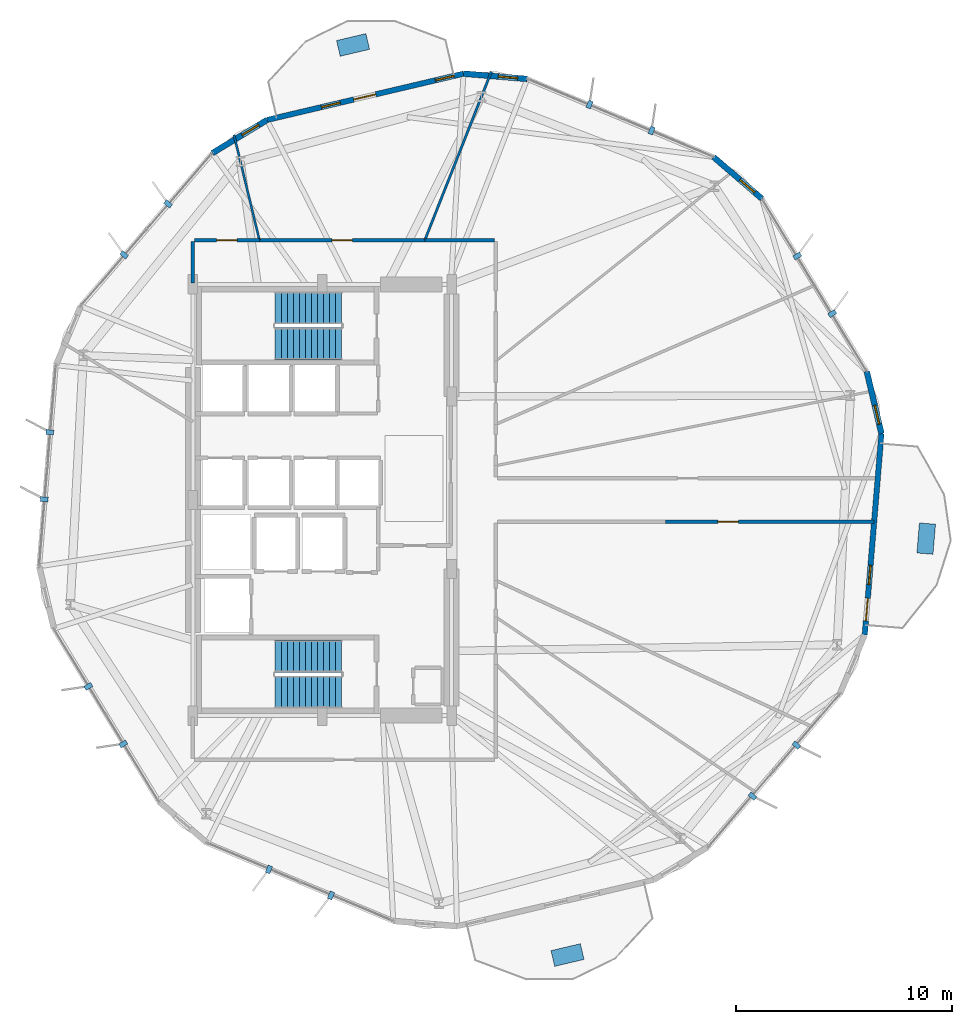
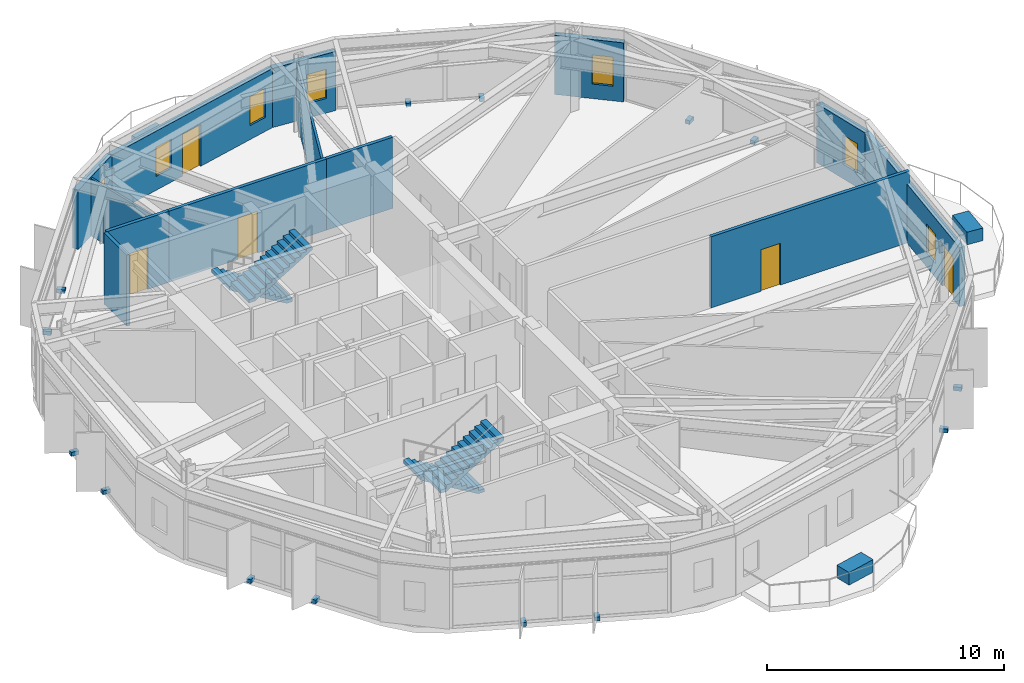
# One storey, part 18 of 21: 17 discrete accessories, 13 walls, 7 windows, 5 doors, 4 stair flights, 12 openings, 2 elements without a shape of their own.
"""IFC4 building model written with IfcOpenShell, lengths in metres."""

from ifc_helpers import new_model, si_unit, direction, frame, frame_2d, origin, origin_2d, place, context, subcontext, project, spatial, polyline, rectangle, outline, extrude, material, layer, layer_set, type_object, element, fill, aggregate, save


model = new_model("IFC4")

# Units and contexts
model_context = context("Model", 3, precision=1e-05, world=origin(), true_north=direction((0.0, 1.0)))
body_context = subcontext(model_context, "Body", "Model", "MODEL_VIEW")
ifc_project = project(units=[si_unit("LENGTHUNIT", "METRE"), si_unit("AREAUNIT", "SQUARE_METRE"), si_unit("VOLUMEUNIT", "CUBIC_METRE"), si_unit("PLANEANGLEUNIT", "RADIAN"), si_unit("MASSUNIT", "GRAM", prefix="KILO")], contexts=[model_context])

# Site, building, storey
site_placement = place(None, origin())
site = spatial("IfcSite", under=ifc_project, at=site_placement, CompositionType="ELEMENT")
building_placement = place(site_placement, origin())
building = spatial("IfcBuilding", under=site, at=building_placement, Name="Soratama Intermodal Tower", CompositionType="ELEMENT")
storey_placement = place(building_placement, frame((0.0, 0.0, 78.60009765625)))
storey = spatial("IfcBuildingStorey", under=building, at=storey_placement, Name="L18", CompositionType="ELEMENT", Elevation=78.60009765625)

# Wall, openings, door, windows
ifc_material_1 = material(Name="Concrete f'c 42 MPa", Category="concrete")
ifc_layer_1 = layer(ifc_material_1, 0.25)
ifc_layer_set_1 = layer_set([ifc_layer_1], Name="Concrete f'c 42 MPa")
wall_type_1 = type_object("IfcWallType", Name="EW-BAL-250", PredefinedType="SOLIDWALL", material=ifc_layer_set_1)
wall_1_placement = place(storey_placement, frame((45.150634765625, 44.767333984375, 0.0), z_axis=(0.0, 0.0, 1.0), x_axis=(-0.973339472423, -0.229369290498, 0.0)))
wall_1 = element("IfcWall", 1, at=wall_1_placement, inside=storey, type_object=wall_type_1, Name="L18 Terrace Wall F03", PredefinedType="SOLIDWALL", context=body_context, shape_type="SweptSolid", body=[
    extrude(rectangle(XDim=9.361328125, YDim=0.25, at=frame_2d((4.6806640625, 0.0))), origin(), (0.0, 0.0, 1.0), 3.038818359375),
])
opening_1_placement = place(wall_1_placement, frame((4.1806640625, 0.0, 0.0)))
opening_1 = element("IfcOpeningElement", 2, at=opening_1_placement, cuts=wall_1, Name="Opening ED-5", PredefinedType="OPENING", context=body_context, shape_type="SweptSolid", body=[
    extrude(rectangle(XDim=1.050048828125, YDim=2.14990234375, at=frame_2d((0.52490234375, 1.074951171875))), frame((0.0, 0.135009765625, 0.0), z_axis=(0.0, -1.0, 0.0), x_axis=(1.0, 0.0, 0.0)), (0.0, 0.0, 1.0), 0.27001953125),
])
opening_2_placement = place(wall_1_placement, frame((0.43994140625, 0.0, 0.719970703125)))
opening_2 = element("IfcOpeningElement", 3, at=opening_2_placement, cuts=wall_1, Name="Opening WN-6", PredefinedType="OPENING", context=body_context, shape_type="SweptSolid", body=[
    extrude(rectangle(XDim=0.89990234375, YDim=1.5, at=frame_2d((0.449951171875, 0.75))), frame((0.0, 0.135009765625, 0.0), z_axis=(0.0, -1.0, 0.0), x_axis=(1.0, 0.0, 0.0)), (0.0, 0.0, 1.0), 0.27001953125),
])
opening_3_placement = place(wall_1_placement, frame((5.87060546875, 0.0, 0.719970703125)))
opening_3 = element("IfcOpeningElement", 4, at=opening_3_placement, cuts=wall_1, Name="Opening WN-6", PredefinedType="OPENING", context=body_context, shape_type="SweptSolid", body=[
    extrude(rectangle(XDim=0.89990234375, YDim=1.5, at=frame_2d((0.449951171875, 0.75))), frame((0.0, 0.135009765625, 0.0), z_axis=(0.0, -1.0, 0.0), x_axis=(1.0, 0.0, 0.0)), (0.0, 0.0, 1.0), 0.27001953125),
])
ifc_material_2 = material(Name="Double-glazed aluminium door", Category="aluminium")
door_type_1 = type_object("IfcDoorType", Name="DR-BAL-1050", OperationType="NOTDEFINED", PredefinedType="DOOR", material=ifc_material_2)
door_1_placement = place(opening_1_placement, origin())
door_1 = element("IfcDoor", 5, at=door_1_placement, inside=storey, type_object=door_type_1, Name="L18 Balcony Door F03", OperationType="SINGLE_SWING_LEFT", OverallHeight=2.14990234375, OverallWidth=1.050048828125, PredefinedType="DOOR", context=body_context, shape_type="SweptSolid", body=[
    extrude(rectangle(XDim=1.050048828125, YDim=2.14990234375, at=frame_2d((0.52490234375, 1.074951171875))), frame((0.0, 0.02490234375, 0.0), z_axis=(0.0, -1.0, 0.0), x_axis=(1.0, 0.0, 0.0)), (0.0, 0.0, 1.0), 0.050048828125),
])
fill(opening_1, door_1)
ifc_material_3 = material(Name="Double-glazed aluminium window", Category="aluminium")
window_type = type_object("IfcWindowType", Name="WN-FAC-900", PartitioningType="SINGLE_PANEL", PredefinedType="WINDOW", material=ifc_material_3)
window_1_placement = place(opening_2_placement, origin())
window_1 = element("IfcWindow", 6, at=window_1_placement, inside=storey, type_object=window_type, Name="L18 Window A F03", OverallHeight=1.5, OverallWidth=0.89990234375, PartitioningType="SINGLE_PANEL", PredefinedType="WINDOW", context=body_context, shape_type="SweptSolid", body=[
    extrude(rectangle(XDim=0.89990234375, YDim=1.5, at=frame_2d((0.449951171875, 0.75))), frame((0.0, 0.030029296875, 0.0), z_axis=(0.0, -1.0, 0.0), x_axis=(1.0, 0.0, 0.0)), (0.0, 0.0, 1.0), 0.06005859375),
])
fill(opening_2, window_1)
window_2_placement = place(opening_3_placement, origin())
window_2 = element("IfcWindow", 7, at=window_2_placement, inside=storey, type_object=window_type, Name="L18 Window B F03", OverallHeight=1.5, OverallWidth=0.89990234375, PartitioningType="SINGLE_PANEL", PredefinedType="WINDOW", context=body_context, shape_type="SweptSolid", body=[
    extrude(rectangle(XDim=0.89990234375, YDim=1.5, at=frame_2d((0.449951171875, 0.75))), frame((0.0, 0.030029296875, 0.0), z_axis=(0.0, -1.0, 0.0), x_axis=(1.0, 0.0, 0.0)), (0.0, 0.0, 1.0), 0.06005859375),
])
fill(opening_3, window_2)

# Wall, openings, door, window
wall_2_placement = place(storey_placement, frame((63.75341796875, 18.748291015625, 0.0), z_axis=(0.0, 0.0, 1.0), x_axis=(0.082620284311, 0.996581099871, 0.0)))
wall_2 = element("IfcWall", 8, at=wall_2_placement, inside=storey, type_object=wall_type_1, Name="L18 Terrace Wall F10", PredefinedType="SOLIDWALL", context=body_context, shape_type="SweptSolid", body=[
    extrude(rectangle(XDim=9.361328125, YDim=0.25, at=frame_2d((4.6806640625, 0.0))), origin(), (0.0, 0.0, 1.0), 3.038818359375),
])
opening_4_placement = place(wall_2_placement, frame((0.64990234375, 0.0, 0.0)))
opening_4 = element("IfcOpeningElement", 9, at=opening_4_placement, cuts=wall_2, Name="Opening ED-5", PredefinedType="OPENING", context=body_context, shape_type="SweptSolid", body=[
    extrude(rectangle(XDim=1.050048828125, YDim=2.14990234375, at=frame_2d((0.52490234375, 1.074951171875))), frame((0.0, 0.135009765625, 0.0), z_axis=(0.0, -1.0, 0.0), x_axis=(1.0, 0.0, 0.0)), (0.0, 0.0, 1.0), 0.27001953125),
])
opening_5_placement = place(wall_2_placement, frame((2.340087890625, 0.0, 0.719970703125)))
opening_5 = element("IfcOpeningElement", 10, at=opening_5_placement, cuts=wall_2, Name="Opening WN-6", PredefinedType="OPENING", context=body_context, shape_type="SweptSolid", body=[
    extrude(rectangle(XDim=0.89990234375, YDim=1.5, at=frame_2d((0.449951171875, 0.75))), frame((0.0, 0.135009765625, 0.0), z_axis=(0.0, -1.0, 0.0), x_axis=(1.0, 0.0, 0.0)), (0.0, 0.0, 1.0), 0.27001953125),
])
door_2_placement = place(opening_4_placement, origin())
door_2 = element("IfcDoor", 11, at=door_2_placement, inside=storey, type_object=door_type_1, Name="L18 Balcony Door F10", OperationType="SINGLE_SWING_RIGHT", OverallHeight=2.14990234375, OverallWidth=1.050048828125, PredefinedType="DOOR", context=body_context, shape_type="SweptSolid", body=[
    extrude(rectangle(XDim=1.050048828125, YDim=2.14990234375, at=frame_2d((0.52490234375, 1.074951171875))), frame((0.0, 0.02490234375, 0.0), z_axis=(0.0, -1.0, 0.0), x_axis=(1.0, 0.0, 0.0)), (0.0, 0.0, 1.0), 0.050048828125),
])
fill(opening_4, door_2)
window_3_placement = place(opening_5_placement, origin())
window_3 = element("IfcWindow", 12, at=window_3_placement, inside=storey, type_object=window_type, Name="L18 Window B F10", OverallHeight=1.5, OverallWidth=0.89990234375, PartitioningType="SINGLE_PANEL", PredefinedType="WINDOW", context=body_context, shape_type="SweptSolid", body=[
    extrude(rectangle(XDim=0.89990234375, YDim=1.5, at=frame_2d((0.449951171875, 0.75))), frame((0.0, 0.030029296875, 0.0), z_axis=(0.0, -1.0, 0.0), x_axis=(1.0, 0.0, 0.0)), (0.0, 0.0, 1.0), 0.06005859375),
])
fill(opening_5, window_3)

# Wall, opening, window
ifc_material_4 = material(Name="Concrete f'c 42 MPa", Category="concrete")
ifc_layer_2 = layer(ifc_material_4, 0.27001953125)
ifc_layer_set_2 = layer_set([ifc_layer_2], Name="Concrete f'c 42 MPa")
wall_type_2 = type_object("IfcWallType", Name="EW-CRN-270", PredefinedType="SOLIDWALL", material=ifc_layer_set_2)
wall_3_placement = place(storey_placement, frame((58.988525390625, 38.967529296875, 0.0), z_axis=(0.0, 0.0, 1.0), x_axis=(-0.757662534015, 0.652646523434, 0.0)))
wall_3 = element("IfcWall", 13, at=wall_3_placement, inside=storey, type_object=wall_type_2, Name="L18 Corner Closure Wall 01", PredefinedType="SOLIDWALL", context=body_context, shape_type="SweptSolid", body=[
    extrude(rectangle(XDim=2.966552734375, YDim=0.27001953125, at=frame_2d((1.4833984375, 0.0))), origin(), (0.0, 0.0, 1.0), 3.038818359375),
])
opening_6_placement = place(wall_3_placement, frame((0.449951171875, 0.0, 0.75)))
opening_6 = element("IfcOpeningElement", 14, at=opening_6_placement, cuts=wall_3, Name="Opening WN-6", PredefinedType="OPENING", context=body_context, shape_type="SweptSolid", body=[
    extrude(rectangle(XDim=0.89990234375, YDim=1.5, at=frame_2d((0.449951171875, 0.75))), frame((0.0, 0.14501953125, 0.0), z_axis=(0.0, -1.0, 0.0), x_axis=(1.0, 0.0, 0.0)), (0.0, 0.0, 1.0), 0.2900390625),
])
window_4_placement = place(opening_6_placement, origin())
window_4 = element("IfcWindow", 15, at=window_4_placement, inside=storey, type_object=window_type, Name="L18 Corner Window 01", OverallHeight=1.5, OverallWidth=0.89990234375, PartitioningType="SINGLE_PANEL", PredefinedType="WINDOW", context=body_context, shape_type="SweptSolid", body=[
    extrude(rectangle(XDim=0.89990234375, YDim=1.5, at=frame_2d((0.449951171875, 0.75))), frame((0.0, 0.030029296875, 0.0), z_axis=(0.0, -1.0, 0.0), x_axis=(1.0, 0.0, 0.0)), (0.0, 0.0, 1.0), 0.06005859375),
])
fill(opening_6, window_4)

wall_4_placement = place(storey_placement, frame((48.107177734375, 44.522216796875, 0.0), z_axis=(0.0, 0.0, 1.0), x_axis=(-0.996580856584, 0.082623218828, 0.0)))
wall_4 = element("IfcWall", 16, at=wall_4_placement, inside=storey, type_object=wall_type_2, Name="L18 Corner Closure Wall 02", PredefinedType="SOLIDWALL", context=body_context, shape_type="SweptSolid", body=[
    extrude(rectangle(XDim=2.966796875, YDim=0.27001953125, at=frame_2d((1.4833984375, 0.0))), origin(), (0.0, 0.0, 1.0), 3.038818359375),
])
opening_7_placement = place(wall_4_placement, frame((0.449951171875, 0.0, 0.75)))
opening_7 = element("IfcOpeningElement", 17, at=opening_7_placement, cuts=wall_4, Name="Opening WN-6", PredefinedType="OPENING", context=body_context, shape_type="SweptSolid", body=[
    extrude(rectangle(XDim=0.89990234375, YDim=1.5, at=frame_2d((0.449951171875, 0.75))), frame((0.0, 0.14501953125, 0.0), z_axis=(0.0, -1.0, 0.0), x_axis=(1.0, 0.0, 0.0)), (0.0, 0.0, 1.0), 0.2900390625),
])
window_5_placement = place(opening_7_placement, origin())
window_5 = element("IfcWindow", 18, at=window_5_placement, inside=storey, type_object=window_type, Name="L18 Corner Window 02", OverallHeight=1.5, OverallWidth=0.89990234375, PartitioningType="SINGLE_PANEL", PredefinedType="WINDOW", context=body_context, shape_type="SweptSolid", body=[
    extrude(rectangle(XDim=0.89990234375, YDim=1.5, at=frame_2d((0.449951171875, 0.75))), frame((0.0, 0.030029296875, 0.0), z_axis=(0.0, -1.0, 0.0), x_axis=(1.0, 0.0, 0.0)), (0.0, 0.0, 1.0), 0.06005859375),
])
fill(opening_7, window_5)

wall_5_placement = place(storey_placement, frame((36.038818359375, 42.6201171875, 0.0), z_axis=(0.0, 0.0, 1.0), x_axis=(-0.854838363076, -0.518894375584, 0.0)))
wall_5 = element("IfcWall", 19, at=wall_5_placement, inside=storey, type_object=wall_type_2, Name="L18 Corner Closure Wall 03", PredefinedType="SOLIDWALL", context=body_context, shape_type="SweptSolid", body=[
    extrude(rectangle(XDim=2.966552734375, YDim=0.27001953125, at=frame_2d((1.4833984375, 0.0))), origin(), (0.0, 0.0, 1.0), 3.038818359375),
])
opening_8_placement = place(wall_5_placement, frame((0.449951171875, 0.0, 0.75)))
opening_8 = element("IfcOpeningElement", 20, at=opening_8_placement, cuts=wall_5, Name="Opening WN-6", PredefinedType="OPENING", context=body_context, shape_type="SweptSolid", body=[
    extrude(rectangle(XDim=0.89990234375, YDim=1.5, at=frame_2d((0.449951171875, 0.75))), frame((0.0, 0.14501953125, 0.0), z_axis=(0.0, -1.0, 0.0), x_axis=(1.0, 0.0, 0.0)), (0.0, 0.0, 1.0), 0.2900390625),
])
window_6_placement = place(opening_8_placement, origin())
window_6 = element("IfcWindow", 21, at=window_6_placement, inside=storey, type_object=window_type, Name="L18 Corner Window 03", OverallHeight=1.5, OverallWidth=0.89990234375, PartitioningType="SINGLE_PANEL", PredefinedType="WINDOW", context=body_context, shape_type="SweptSolid", body=[
    extrude(rectangle(XDim=0.89990234375, YDim=1.5, at=frame_2d((0.449951171875, 0.75))), frame((0.0, 0.030029296875, 0.0), z_axis=(0.0, -1.0, 0.0), x_axis=(1.0, 0.0, 0.0)), (0.0, 0.0, 1.0), 0.06005859375),
])
fill(opening_8, window_6)

wall_6_placement = place(storey_placement, frame((64.52685546875, 28.07763671875, 0.0), z_axis=(0.0, 0.0, 1.0), x_axis=(-0.229365005804, 0.973340482109, 0.0)))
wall_6 = element("IfcWall", 22, at=wall_6_placement, inside=storey, type_object=wall_type_2, Name="L18 Corner Closure Wall 10", PredefinedType="SOLIDWALL", context=body_context, shape_type="SweptSolid", body=[
    extrude(rectangle(XDim=2.966552734375, YDim=0.27001953125, at=frame_2d((1.4833984375, 0.0))), origin(), (0.0, 0.0, 1.0), 3.038818359375),
])
opening_9_placement = place(wall_6_placement, frame((0.449951171875, 0.0, 0.75)))
opening_9 = element("IfcOpeningElement", 23, at=opening_9_placement, cuts=wall_6, Name="Opening WN-6", PredefinedType="OPENING", context=body_context, shape_type="SweptSolid", body=[
    extrude(rectangle(XDim=0.89990234375, YDim=1.5, at=frame_2d((0.449951171875, 0.75))), frame((0.0, 0.14501953125, 0.0), z_axis=(0.0, -1.0, 0.0), x_axis=(1.0, 0.0, 0.0)), (0.0, 0.0, 1.0), 0.2900390625),
])
window_7_placement = place(opening_9_placement, origin())
window_7 = element("IfcWindow", 24, at=window_7_placement, inside=storey, type_object=window_type, Name="L18 Corner Window 10", OverallHeight=1.5, OverallWidth=0.89990234375, PartitioningType="SINGLE_PANEL", PredefinedType="WINDOW", context=body_context, shape_type="SweptSolid", body=[
    extrude(rectangle(XDim=0.89990234375, YDim=1.5, at=frame_2d((0.449951171875, 0.75))), frame((0.0, 0.030029296875, 0.0), z_axis=(0.0, -1.0, 0.0), x_axis=(1.0, 0.0, 0.0)), (0.0, 0.0, 1.0), 0.06005859375),
])
fill(opening_9, window_7)

# Wall, opening, door
ifc_material_5 = material(Name="Fire-rated gypsum stud partition", Category="concrete")
ifc_layer_3 = layer(ifc_material_5, 0.159912109375)
ifc_layer_set_3 = layer_set([ifc_layer_3], Name="Fire-rated gypsum stud partition")
wall_type_3 = type_object("IfcWallType", Name="IW-PART-R160", PredefinedType="PARTITIONING", material=ifc_layer_set_3)
wall_7_placement = place(storey_placement, frame((64.18896484375, 24.0, 0.0), z_axis=(0.0, 0.0, 1.0), x_axis=(-1.0, 0.0, 0.0)))
wall_7 = element("IfcWall", 25, at=wall_7_placement, inside=storey, type_object=wall_type_3, Name="L18 Partition W-L18-TP009", PredefinedType="PARTITIONING", context=body_context, shape_type="SweptSolid", body=[
    extrude(rectangle(XDim=9.6708984375, YDim=0.159912109375, at=frame_2d((4.83544921875, 0.0))), origin(), (0.0, 0.0, 1.0), 3.659912109375),
])
opening_10_placement = place(wall_7_placement, frame((6.294921875, 0.0, 0.0)))
opening_10 = element("IfcOpeningElement", 26, at=opening_10_placement, cuts=wall_7, Name="Opening ID-3", PredefinedType="OPENING", context=body_context, shape_type="SweptSolid", body=[
    extrude(rectangle(XDim=0.949951171875, YDim=2.14990234375, at=frame_2d((0.47509765625, 1.074951171875))), frame((0.0, 0.08984375, 0.0), z_axis=(0.0, -1.0, 0.0), x_axis=(1.0, 0.0, 0.0)), (0.0, 0.0, 1.0), 0.179931640625),
])
ifc_material_6 = material(Name="Solid hardwood acoustic door", Category="wood")
door_type_2 = type_object("IfcDoorType", Name="DR-ROOM-950", OperationType="NOTDEFINED", PredefinedType="DOOR", material=ifc_material_6)
door_3_placement = place(opening_10_placement, origin())
door_3 = element("IfcDoor", 27, at=door_3_placement, inside=storey, type_object=door_type_2, Name="L18 Door D-L18-TP003", OperationType="SINGLE_SWING_RIGHT", OverallHeight=2.14990234375, OverallWidth=0.949951171875, PredefinedType="DOOR", context=body_context, shape_type="SweptSolid", body=[
    extrude(rectangle(XDim=0.949951171875, YDim=2.14990234375, at=frame_2d((0.47509765625, 1.074951171875))), frame((0.0, 0.02490234375, 0.0), z_axis=(0.0, -1.0, 0.0), x_axis=(1.0, 0.0, 0.0)), (0.0, 0.0, 1.0), 0.050048828125),
])
fill(opening_10, door_3)

wall_8_placement = place(storey_placement, frame((35.68701171875, 37.050048828125, 0.0), z_axis=(0.0, 0.0, 1.0), x_axis=(1.0, 0.0, 0.0)))
wall_8 = element("IfcWall", 28, at=wall_8_placement, inside=storey, type_object=wall_type_3, Name="L18 Partition W-L18-TP012", PredefinedType="PARTITIONING", context=body_context, shape_type="SweptSolid", body=[
    extrude(rectangle(XDim=7.669921875, YDim=0.159912109375, at=frame_2d((3.8349609375, 0.0))), origin(), (0.0, 0.0, 1.0), 3.659912109375),
])
opening_11_placement = place(wall_8_placement, frame((3.360107421875, 0.0, 0.0)))
opening_11 = element("IfcOpeningElement", 29, at=opening_11_placement, cuts=wall_8, Name="Opening ID-3", PredefinedType="OPENING", context=body_context, shape_type="SweptSolid", body=[
    extrude(rectangle(XDim=0.949951171875, YDim=2.14990234375, at=frame_2d((0.47509765625, 1.074951171875))), frame((0.0, 0.08984375, 0.0), z_axis=(0.0, -1.0, 0.0), x_axis=(1.0, 0.0, 0.0)), (0.0, 0.0, 1.0), 0.179931640625),
])
door_4_placement = place(opening_11_placement, origin())
door_4 = element("IfcDoor", 30, at=door_4_placement, inside=storey, type_object=door_type_2, Name="L18 Door D-L18-TP004", OperationType="SINGLE_SWING_LEFT", OverallHeight=2.14990234375, OverallWidth=0.949951171875, PredefinedType="DOOR", context=body_context, shape_type="SweptSolid", body=[
    extrude(rectangle(XDim=0.949951171875, YDim=2.14990234375, at=frame_2d((0.47509765625, 1.074951171875))), frame((0.0, 0.02490234375, 0.0), z_axis=(0.0, -1.0, 0.0), x_axis=(1.0, 0.0, 0.0)), (0.0, 0.0, 1.0), 0.050048828125),
])
fill(opening_11, door_4)

# Wall
wall_9_placement = place(storey_placement, frame((43.35693359375, 37.050048828125, 0.0), z_axis=(0.0, 0.0, 1.0), x_axis=(1.0, 0.0, 0.0)))
element("IfcWall", 31, at=wall_9_placement, inside=storey, type_object=wall_type_3, Name="L18 Partition W-L18-TP019", PredefinedType="PARTITIONING", context=body_context, shape_type="SweptSolid", body=[
    extrude(rectangle(XDim=3.22314453125, YDim=0.159912109375, at=frame_2d((1.611572265625, 0.0))), origin(), (0.0, 0.0, 1.0), 3.659912109375),
])

# Wall, opening, door
wall_10_placement = place(storey_placement, frame((32.669921875, 37.050048828125, 0.0), z_axis=(0.0, 0.0, 1.0), x_axis=(1.0, 0.0, 0.0)))
wall_10 = element("IfcWall", 32, at=wall_10_placement, inside=storey, type_object=wall_type_3, Name="L18 Partition W-L18-TP020", PredefinedType="PARTITIONING", context=body_context, shape_type="SweptSolid", body=[
    extrude(rectangle(XDim=3.01708984375, YDim=0.159912109375, at=frame_2d((1.508544921875, 0.0))), origin(), (0.0, 0.0, 1.0), 3.659912109375),
])
opening_12_placement = place(wall_10_placement, frame((1.032958984375, 0.0, 0.0)))
opening_12 = element("IfcOpeningElement", 33, at=opening_12_placement, cuts=wall_10, Name="Opening ID-3", PredefinedType="OPENING", context=body_context, shape_type="SweptSolid", body=[
    extrude(rectangle(XDim=0.949951171875, YDim=2.14990234375, at=frame_2d((0.47509765625, 1.074951171875))), frame((0.0, 0.08984375, 0.0), z_axis=(0.0, -1.0, 0.0), x_axis=(1.0, 0.0, 0.0)), (0.0, 0.0, 1.0), 0.179931640625),
])
door_5_placement = place(opening_12_placement, origin())
door_5 = element("IfcDoor", 34, at=door_5_placement, inside=storey, type_object=door_type_2, Name="L18 Door D-L18-TP008", OperationType="SINGLE_SWING_LEFT", OverallHeight=2.14990234375, OverallWidth=0.949951171875, PredefinedType="DOOR", context=body_context, shape_type="SweptSolid", body=[
    extrude(rectangle(XDim=0.949951171875, YDim=2.14990234375, at=frame_2d((0.47509765625, 1.074951171875))), frame((0.0, 0.02490234375, 0.0), z_axis=(0.0, -1.0, 0.0), x_axis=(1.0, 0.0, 0.0)), (0.0, 0.0, 1.0), 0.050048828125),
])
fill(opening_12, door_5)

# Walls
wall_11_placement = place(storey_placement, frame((32.60009765625, 35.070068359375, 0.0), z_axis=(0.0, 0.0, 1.0), x_axis=(0.0, 1.0, 0.0)))
element("IfcWall", 35, at=wall_11_placement, inside=storey, type_object=wall_type_3, Name="L18 Partition W-L18-TP027", PredefinedType="PARTITIONING", context=body_context, shape_type="SweptSolid", body=[
    extrude(rectangle(XDim=1.909912109375, YDim=0.159912109375, at=frame_2d((0.955078125, 0.0))), origin(), (0.0, 0.0, 1.0), 3.659912109375),
])
ifc_material_7 = material(Name="Fire-rated gypsum stud partition", Category="concrete")
ifc_layer_4 = layer(ifc_material_7, 0.10009765625)
ifc_layer_set_4 = layer_set([ifc_layer_4], Name="Fire-rated gypsum stud partition")
wall_type_4 = type_object("IfcWallType", Name="IW-PART-S100", PredefinedType="PARTITIONING", material=ifc_layer_set_4)
wall_12_placement = place(storey_placement, frame((35.68701171875, 37.050048828125, 0.0), z_axis=(0.0, 0.0, 1.0), x_axis=(-0.235161687333, 0.971956264865, 0.0)))
element("IfcWall", 36, at=wall_12_placement, inside=storey, type_object=wall_type_4, Name="L18 Partition W-L18-TP016", PredefinedType="PARTITIONING", context=body_context, shape_type="SweptSolid", body=[
    extrude(rectangle(XDim=5.021728515625, YDim=0.10009765625, at=frame_2d((2.5107421875, 0.0))), origin(), (0.0, 0.0, 1.0), 2.954833984375),
])
ifc_material_8 = material(Name="Fire-rated gypsum stud partition", Category="concrete")
ifc_layer_5 = layer(ifc_material_8, 0.110107421875)
ifc_layer_set_5 = layer_set([ifc_layer_5], Name="Fire-rated gypsum stud partition")
wall_type_5 = type_object("IfcWallType", Name="IW-PART-S110", PredefinedType="PARTITIONING", material=ifc_layer_set_5)
wall_13_placement = place(storey_placement, frame((43.35693359375, 37.050048828125, 0.0), z_axis=(0.0, 0.0, 1.0), x_axis=(0.36721814447, 0.930134847413, 0.0)))
element("IfcWall", 37, at=wall_13_placement, inside=storey, type_object=wall_type_5, Name="L18 Partition W-L18-TP010", PredefinedType="PARTITIONING", context=body_context, shape_type="SweptSolid", body=[
    extrude(rectangle(XDim=8.40087890625, YDim=0.110107421875, at=frame_2d((4.200439453125, 0.0))), origin(), (0.0, 0.0, 1.0), 2.954833984375),
])

# Stair, stair flights
ifc_material_9 = material(Name="Concrete f'c 42 MPa", Category="concrete")
stair_type = type_object("IfcStairType", Name="ST-CORE-DOGLEG", PredefinedType="HALF_TURN_STAIR", material=ifc_material_9)
stair_1_placement = place(storey_placement, origin())
stair_1 = element("IfcStair", 38, at=stair_1_placement, inside=storey, type_object=stair_type, Name="L18 ST-1", PredefinedType="HALF_TURN_STAIR")
ifc_material_10 = material(Name="Precast concrete f'c 40 MPa", Category="concrete")
ifc_layer_6 = layer(ifc_material_10, 0.199951171875)
ifc_layer_set_6 = layer_set([ifc_layer_6], Name="Precast concrete f'c 40 MPa")
stair_flight_type = type_object("IfcStairFlightType", Name="SF-FLIGHT-RC", PredefinedType="STRAIGHT", material=ifc_layer_set_6)
stair_flight_1_placement = place(storey_placement, frame((39.5, 17.75, 0.0), z_axis=(0.0, 0.0, 1.0), x_axis=(-1.0, 0.0, 0.0)))
stair_flight_1 = element("IfcStairFlight", 39, at=stair_flight_1_placement, type_object=stair_flight_type, Name="ST-1 flight 1", NumberOfRisers=12, NumberOfTreads=11, PredefinedType="STRAIGHT", RiserHeight=0.166666667, TreadLength=0.28, context=body_context, shape_type="SweptSolid", body=[
    extrude(outline(polyline([(0.0, 0.0), (0.0, 0.166748046875), (0.280029296875, 0.166748046875), (0.280029296875, 0.333251953125), (0.56005859375, 0.333251953125), (0.56005859375, 0.5), (0.840087890625, 0.5), (0.840087890625, 0.666748046875), (1.1201171875, 0.666748046875), (1.1201171875, 0.833251953125), (1.39990234375, 0.833251953125), (1.39990234375, 1.0), (1.679931640625, 1.0), (1.679931640625, 1.166748046875), (1.9599609375, 1.166748046875), (1.9599609375, 1.333251953125), (2.239990234375, 1.333251953125), (2.239990234375, 1.5), (2.52001953125, 1.5), (2.52001953125, 1.666748046875), (2.800048828125, 1.666748046875), (2.800048828125, 1.833251953125), (3.080078125, 1.833251953125), (3.080078125, 2.0), (3.080078125, 1.658935546875), (0.29296875, 0.0), (0.0, 0.0)])), frame((0.0, 0.75, 0.0), z_axis=(0.0, -1.0, 0.0), x_axis=(1.0, 0.0, 0.0)), (0.0, 0.0, 1.0), 1.5),
])
stair_flight_2_placement = place(storey_placement, frame((36.419921875, 16.10009765625, 2.0), z_axis=(0.0, 0.0, 1.0), x_axis=(1.0, 0.0, 0.0)))
stair_flight_2 = element("IfcStairFlight", 40, at=stair_flight_2_placement, type_object=stair_flight_type, Name="ST-1 flight 2", NumberOfRisers=12, NumberOfTreads=11, PredefinedType="STRAIGHT", RiserHeight=0.166666667, TreadLength=0.28, context=body_context, shape_type="SweptSolid", body=[
    extrude(outline(polyline([(0.0, 0.0), (0.0, 0.166748046875), (0.280029296875, 0.166748046875), (0.280029296875, 0.333251953125), (0.56005859375, 0.333251953125), (0.56005859375, 0.5), (0.840087890625, 0.5), (0.840087890625, 0.666748046875), (1.1201171875, 0.666748046875), (1.1201171875, 0.833251953125), (1.39990234375, 0.833251953125), (1.39990234375, 1.0), (1.679931640625, 1.0), (1.679931640625, 1.166748046875), (1.9599609375, 1.166748046875), (1.9599609375, 1.333251953125), (2.239990234375, 1.333251953125), (2.239990234375, 1.5), (2.52001953125, 1.5), (2.52001953125, 1.666748046875), (2.800048828125, 1.666748046875), (2.800048828125, 1.833251953125), (3.080078125, 1.833251953125), (3.080078125, 2.0), (3.080078125, 1.658935546875), (0.29296875, 0.0), (0.0, 0.0)])), frame((0.0, 0.75, 0.0), z_axis=(0.0, -1.0, 0.0), x_axis=(1.0, 0.0, 0.0)), (0.0, 0.0, 1.0), 1.5),
])
aggregate(stair_1, [stair_flight_1, stair_flight_2])

stair_2_placement = place(storey_placement, origin())
stair_2 = element("IfcStair", 41, at=stair_2_placement, inside=storey, type_object=stair_type, Name="L18 ST-2", PredefinedType="HALF_TURN_STAIR")
stair_flight_3_placement = place(storey_placement, frame((39.5, 33.89990234375, 0.0), z_axis=(0.0, 0.0, 1.0), x_axis=(-1.0, 0.0, 0.0)))
stair_flight_3 = element("IfcStairFlight", 42, at=stair_flight_3_placement, type_object=stair_flight_type, Name="ST-2 flight 1", NumberOfRisers=12, NumberOfTreads=11, PredefinedType="STRAIGHT", RiserHeight=0.166666667, TreadLength=0.28, context=body_context, shape_type="SweptSolid", body=[
    extrude(outline(polyline([(0.0, 0.0), (0.0, 0.166748046875), (0.280029296875, 0.166748046875), (0.280029296875, 0.333251953125), (0.56005859375, 0.333251953125), (0.56005859375, 0.5), (0.840087890625, 0.5), (0.840087890625, 0.666748046875), (1.1201171875, 0.666748046875), (1.1201171875, 0.833251953125), (1.39990234375, 0.833251953125), (1.39990234375, 1.0), (1.679931640625, 1.0), (1.679931640625, 1.166748046875), (1.9599609375, 1.166748046875), (1.9599609375, 1.333251953125), (2.239990234375, 1.333251953125), (2.239990234375, 1.5), (2.52001953125, 1.5), (2.52001953125, 1.666748046875), (2.800048828125, 1.666748046875), (2.800048828125, 1.833251953125), (3.080078125, 1.833251953125), (3.080078125, 2.0), (3.080078125, 1.658935546875), (0.29296875, 0.0), (0.0, 0.0)])), frame((0.0, 0.75, 0.0), z_axis=(0.0, -1.0, 0.0), x_axis=(1.0, 0.0, 0.0)), (0.0, 0.0, 1.0), 1.5),
])
stair_flight_4_placement = place(storey_placement, frame((36.419921875, 32.25, 2.0), z_axis=(0.0, 0.0, 1.0), x_axis=(1.0, 0.0, 0.0)))
stair_flight_4 = element("IfcStairFlight", 43, at=stair_flight_4_placement, type_object=stair_flight_type, Name="ST-2 flight 2", NumberOfRisers=12, NumberOfTreads=11, PredefinedType="STRAIGHT", RiserHeight=0.166666667, TreadLength=0.28, context=body_context, shape_type="SweptSolid", body=[
    extrude(outline(polyline([(0.0, 0.0), (0.0, 0.166748046875), (0.280029296875, 0.166748046875), (0.280029296875, 0.333251953125), (0.56005859375, 0.333251953125), (0.56005859375, 0.5), (0.840087890625, 0.5), (0.840087890625, 0.666748046875), (1.1201171875, 0.666748046875), (1.1201171875, 0.833251953125), (1.39990234375, 0.833251953125), (1.39990234375, 1.0), (1.679931640625, 1.0), (1.679931640625, 1.166748046875), (1.9599609375, 1.166748046875), (1.9599609375, 1.333251953125), (2.239990234375, 1.333251953125), (2.239990234375, 1.5), (2.52001953125, 1.5), (2.52001953125, 1.666748046875), (2.800048828125, 1.666748046875), (2.800048828125, 1.833251953125), (3.080078125, 1.833251953125), (3.080078125, 2.0), (3.080078125, 1.658935546875), (0.29296875, 0.0), (0.0, 0.0)])), frame((0.0, 0.75, 0.0), z_axis=(0.0, -1.0, 0.0), x_axis=(1.0, 0.0, 0.0)), (0.0, 0.0, 1.0), 1.5),
])
aggregate(stair_2, [stair_flight_3, stair_flight_4])

# Discrete accessories
ifc_material_11 = material(Name="Structural steel ASTM A992 Grade 50", Category="steel")
discrete_accessory_type_1 = type_object("IfcDiscreteAccessoryType", Name="AC-FIN-BRACKET", PredefinedType="BRACKET", material=ifc_material_11)
for number, where, z_axis, x_axis, name in (
    (44, (62.244384765625, 33.642822265625, -0.080078125), (0.0, 0.0, 1.0), (0.854821314638, 0.518922460528, 0.0), "L18 Fin Bracket F01-1"),
    (45, (60.625, 36.310302734375, -0.080078125), (0.0, 0.0, 1.0), (0.854821314638, 0.518922460528, 0.0), "L18 Fin Bracket F01-2"),
    (46, (53.87060546875, 42.12841796875, -0.080078125), (0.0, 0.0, 1.0), (0.386550001314, 0.92226845142, 0.0), "L18 Fin Bracket F02-1"),
    (47, (50.992919921875, 43.33447265625, -0.080078125), (0.0, 0.0, 1.0), (0.386550001314, 0.92226845142, 0.0), "L18 Fin Bracket F02-2"),
    (48, (31.451171875, 38.7294921875, -0.080078125), (0.0, 0.0, 1.0), (-0.757678900914, 0.652627522489, 0.0), "L18 Fin Bracket F04-1"),
    (49, (29.414794921875, 36.365234375, -0.080078125), (0.0, 0.0, 1.0), (-0.757678900914, 0.652627522489, 0.0), "L18 Fin Bracket F04-2"),
    (50, (25.96875, 28.1435546875, -0.080078125), (0.0, 0.0, 1.0), (-0.996579940078, 0.08263427276, 0.0), "L18 Fin Bracket F05-1"),
    (51, (25.7109375, 25.03369140625, -0.080078125), (0.0, 0.0, 1.0), (-0.996579940078, 0.08263427276, 0.0), "L18 Fin Bracket F05-2"),
    (52, (27.755615234375, 16.357177734375, -0.080078125), (0.0, 0.0, 1.0), (-0.854821314638, -0.518922460528, 0.0), "L18 Fin Bracket F06-1"),
    (53, (29.375, 13.689697265625, -0.080078125), (0.0, 0.0, 1.0), (-0.854821314638, -0.518922460528, 0.0), "L18 Fin Bracket F06-2"),
    (54, (36.12939453125, 7.87158203125, -0.080078125), (0.0, 0.0, 1.0), (-0.386550001314, -0.92226845142, 0.0), "L18 Fin Bracket F07-1"),
    (55, (39.007080078125, 6.66552734375, -0.080078125), (0.0, 0.0, 1.0), (-0.386550001314, -0.92226845142, 0.0), "L18 Fin Bracket F07-2"),
    (56, (58.548828125, 11.2705078125, -0.080078125), (0.0, 0.0, 1.0), (0.757678900914, -0.652627522489, 0.0), "L18 Fin Bracket F09-1"),
    (57, (60.585205078125, 13.634765625, -0.080078125), (0.0, 0.0, 1.0), (0.757678900914, -0.652627522489, 0.0), "L18 Fin Bracket F09-2"),
):
    element("IfcDiscreteAccessory", number, at=place(storey_placement, frame(where, z_axis=z_axis, x_axis=x_axis)), inside=storey, type_object=discrete_accessory_type_1, Name=name, PredefinedType="BRACKET", context=body_context, shape_type="SweptSolid", body=[
        extrude(rectangle(XDim=0.360107421875, YDim=0.219970703125, at=origin_2d()), origin(), (0.0, 0.0, 1.0), 0.199951171875),
    ])
ifc_material_12 = material(Name="Precast concrete f'c 40 MPa", Category="concrete")
discrete_accessory_type_2 = type_object("IfcDiscreteAccessoryType", Name="AC-PLANTER-TREE", PredefinedType="USERDEFINED", material=ifc_material_12)
for number, where, z_axis, x_axis, name in (
    (58, (66.601806640625, 23.208984375, 0.0), (0.0, 0.0, 1.0), (0.996579940078, -0.08263427276, 0.0), "L18 Tree Planter 1"),
    (59, (40.0283203125, 46.097900390625, 0.0), (0.0, 0.0, 1.0), (-0.22937027416, 0.973339240621, 0.0), "L18 Tree Planter 2"),
    (60, (49.9716796875, 3.902099609375, 0.0), (0.0, 0.0, 1.0), (0.22937027416, -0.973339240621, 0.0), "L18 Tree Planter 3"),
):
    element("IfcDiscreteAccessory", number, at=place(storey_placement, frame(where, z_axis=z_axis, x_axis=x_axis)), inside=storey, type_object=discrete_accessory_type_2, Name=name, ObjectType="PLANTER", PredefinedType="USERDEFINED", context=body_context, shape_type="SweptSolid", body=[
        extrude(rectangle(XDim=0.75, YDim=1.39990234375, at=origin_2d()), origin(), (0.0, 0.0, 1.0), 0.64990234375),
    ])

save(model, "model.ifc")
